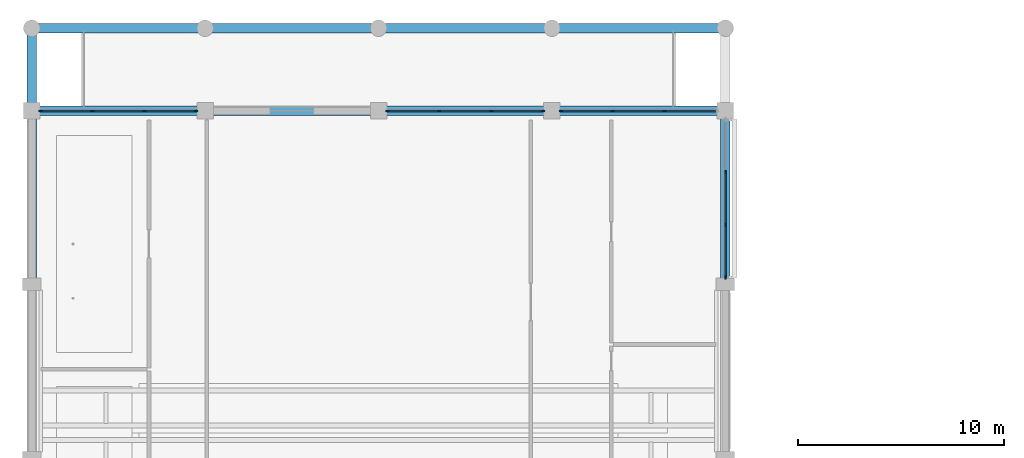
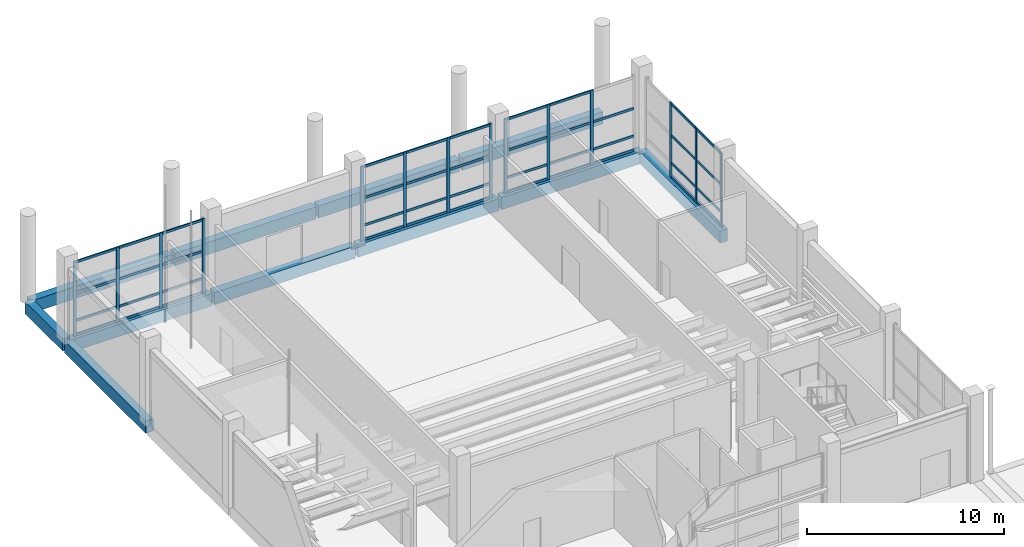
# One storey, part 39 of 140: 57 members, 11 beams, 4 elements without a shape of their own.
"""IFC4 building model written with IfcOpenShell, lengths in metres."""

from ifc_helpers import new_model, si_unit, direction, frame, origin, origin_2d, place, context, subcontext, project, spatial, rectangle, extrude, material, layer, layer_set, material_profile, profile_set, type_object, element, aggregate, save


model = new_model("IFC4")

# Units and contexts
model_context = context("Model", 3, precision=1e-05, world=origin(), true_north=direction((0.0, 1.0)))
body_context = subcontext(model_context, "Body", "Model", "MODEL_VIEW")
ifc_project = project(units=[si_unit("LENGTHUNIT", "METRE"), si_unit("AREAUNIT", "SQUARE_METRE"), si_unit("VOLUMEUNIT", "CUBIC_METRE"), si_unit("PLANEANGLEUNIT", "RADIAN"), si_unit("MASSUNIT", "GRAM", prefix="KILO")], contexts=[model_context])

# Site, building, storey
site_placement = place(None, origin())
site = spatial("IfcSite", under=ifc_project, at=site_placement, CompositionType="ELEMENT")
building_placement = place(site_placement, origin())
building = spatial("IfcBuilding", under=site, at=building_placement, Name="Telukmera Botanical Conservatory", CompositionType="ELEMENT")
storey_placement = place(building_placement, origin())
storey = spatial("IfcBuildingStorey", under=building, at=storey_placement, Name="L00", CompositionType="ELEMENT", Elevation=0.0)

# Beams
ifc_material_1 = material(Name="Concrete C40/50", Category="concrete")
ifc_material_profile_1 = material_profile(ifc_material_1, rectangle(XDim=0.449951171875, YDim=0.75, at=origin_2d()), Name="RC 450x750")
ifc_profile_set_1 = profile_set([ifc_material_profile_1], Name="Concrete C40/50")
beam_type = type_object("IfcBeamType", Name="Beam_B6", PredefinedType="BEAM", material=ifc_profile_set_1)
beam_1_placement = place(storey_placement, frame((8.47998046875, 116.800048828125, -0.375), z_axis=(1.0, 0.0, 0.0), x_axis=(0.0, 1.0, 0.0)))
element("IfcBeam", 1, at=beam_1_placement, inside=storey, type_object=beam_type, Name="Auditorium Frame Beam beam:V2:L00:gx:1168:84", PredefinedType="BEAM", context=body_context, shape_type="SweptSolid", body=[
    extrude(rectangle(XDim=0.449951171875, YDim=0.75, at=origin_2d()), origin(), (0.0, 0.0, 1.0), 8.239990234375),
])
beam_2_placement = place(storey_placement, frame((16.8798828125, 116.800048828125, -0.375), z_axis=(1.0, 0.0, 0.0), x_axis=(0.0, 1.0, 0.0)))
element("IfcBeam", 2, at=beam_2_placement, inside=storey, type_object=beam_type, Name="Auditorium Frame Beam beam:V2:L00:gx:1168:168", PredefinedType="BEAM", context=body_context, shape_type="SweptSolid", body=[
    extrude(rectangle(XDim=0.449951171875, YDim=0.75, at=origin_2d()), origin(), (0.0, 0.0, 1.0), 8.240234375),
])
for number, where, z_axis, x_axis, name in (
    (3, (25.280029296875, 116.800048828125, -0.375), (1.0, 0.0, 0.0), (0.0, 1.0, 0.0), "Auditorium Frame Beam beam:V2:L00:gx:1168:252"),
    (4, (33.679931640625, 116.800048828125, -0.375), (1.0, 0.0, 0.0), (0.0, 1.0, 0.0), "Auditorium Frame Beam beam:V2:L00:gx:1168:336"),
    (5, (8.47998046875, 120.800048828125, -0.375), (1.0, 0.0, 0.0), (0.0, 1.0, 0.0), "Auditorium Frame Beam beam:V2:L00:gx:1208:84"),
):
    element("IfcBeam", number, at=place(storey_placement, frame(where, z_axis=z_axis, x_axis=x_axis)), inside=storey, type_object=beam_type, Name=name, PredefinedType="BEAM", context=body_context, shape_type="SweptSolid", body=[
        extrude(rectangle(XDim=0.449951171875, YDim=0.75, at=origin_2d()), origin(), (0.0, 0.0, 1.0), 8.239990234375),
    ])
beam_3_placement = place(storey_placement, frame((16.8798828125, 120.800048828125, -0.375), z_axis=(1.0, 0.0, 0.0), x_axis=(0.0, 1.0, 0.0)))
element("IfcBeam", 6, at=beam_3_placement, inside=storey, type_object=beam_type, Name="Auditorium Frame Beam beam:V2:L00:gx:1208:168", PredefinedType="BEAM", context=body_context, shape_type="SweptSolid", body=[
    extrude(rectangle(XDim=0.449951171875, YDim=0.75, at=origin_2d()), origin(), (0.0, 0.0, 1.0), 8.240234375),
])
for number, where, z_axis, x_axis, name in (
    (7, (25.280029296875, 120.800048828125, -0.375), (1.0, 0.0, 0.0), (0.0, 1.0, 0.0), "Auditorium Frame Beam beam:V2:L00:gx:1208:252"),
    (8, (33.679931640625, 120.800048828125, -0.375), (1.0, 0.0, 0.0), (0.0, 1.0, 0.0), "Auditorium Frame Beam beam:V2:L00:gx:1208:336"),
    (9, (8.39990234375, 108.47998046875, -0.375), (0.0, 1.0, 0.0), (-1.0, 0.0, 0.0), "Auditorium Frame Beam beam:V2:L00:gy:84:1084"),
):
    element("IfcBeam", number, at=place(storey_placement, frame(where, z_axis=z_axis, x_axis=x_axis)), inside=storey, type_object=beam_type, Name=name, PredefinedType="BEAM", context=body_context, shape_type="SweptSolid", body=[
        extrude(rectangle(XDim=0.449951171875, YDim=0.75, at=origin_2d()), origin(), (0.0, 0.0, 1.0), 8.239990234375),
    ])
beam_4_placement = place(storey_placement, frame((8.39990234375, 116.8798828125, -0.375), z_axis=(0.0, 1.0, 0.0), x_axis=(-1.0, 0.0, 0.0)))
element("IfcBeam", 10, at=beam_4_placement, inside=storey, type_object=beam_type, Name="Auditorium Frame Beam beam:V2:L00:gy:84:1168", PredefinedType="BEAM", context=body_context, shape_type="SweptSolid", body=[
    extrude(rectangle(XDim=0.449951171875, YDim=0.75, at=origin_2d()), origin(), (0.0, 0.0, 1.0), 3.840087890625),
])
beam_5_placement = place(storey_placement, frame((42.0, 108.47998046875, -0.375), z_axis=(0.0, 1.0, 0.0), x_axis=(-1.0, 0.0, 0.0)))
element("IfcBeam", 11, at=beam_5_placement, inside=storey, type_object=beam_type, Name="Auditorium Frame Beam beam:V2:L00:gy:420:1084", PredefinedType="BEAM", context=body_context, shape_type="SweptSolid", body=[
    extrude(rectangle(XDim=0.449951171875, YDim=0.75, at=origin_2d()), origin(), (0.0, 0.0, 1.0), 8.239990234375),
])

# Curtain wall, members
ifc_material_2 = material(Name="Anodised aluminium 6063-T6", Category="aluminium")
ifc_layer = layer(ifc_material_2, 0.179931640625)
ifc_layer_set = layer_set([ifc_layer], Name="Anodised aluminium 6063-T6")
curtain_wall_type = type_object("IfcCurtainWallType", Name="Auditorium Ground Foyer Acoustic Curtain Wall", PredefinedType="USERDEFINED", material=ifc_layer_set)
curtain_wall_1_placement = place(storey_placement, origin())
curtain_wall_1 = element("IfcCurtainWall", 12, at=curtain_wall_1_placement, inside=storey, type_object=curtain_wall_type, Name="Unitised Curtain Wall CW04 V2:L00:N1", ObjectType="UNITISED CURTAIN WALL", PredefinedType="USERDEFINED")
ifc_material_profile_2 = material_profile(ifc_material_2, rectangle(XDim=0.070068359375, YDim=0.179931640625, at=origin_2d()), Name="ALU MULL 70x180")
ifc_profile_set_2 = profile_set([ifc_material_profile_2], Name="Anodised aluminium 6063-T6")
member_type_1 = type_object("IfcMemberType", Name="Curtain Wall Extruded Mullion 70x180", PredefinedType="MULLION", material=ifc_profile_set_2)
member_1_placement = place(storey_placement, frame((8.8369140625, 116.800048828125, 0.0), z_axis=(0.0, 0.0, 1.0), x_axis=(0.0, 1.0, 0.0)))
member_1 = element("IfcMember", 13, at=member_1_placement, type_object=member_type_1, Name="CW04 mullion 1", PredefinedType="MULLION", context=body_context, shape_type="SweptSolid", body=[
    extrude(rectangle(XDim=0.070068359375, YDim=0.179931640625, at=origin_2d()), origin(), (0.0, 0.0, 1.0), 4.64990234375),
])
member_2_placement = place(storey_placement, frame((11.333984375, 116.800048828125, 0.0), z_axis=(0.0, 0.0, 1.0), x_axis=(0.0, 1.0, 0.0)))
member_2 = element("IfcMember", 14, at=member_2_placement, type_object=member_type_1, Name="CW04 mullion 2", PredefinedType="MULLION", context=body_context, shape_type="SweptSolid", body=[
    extrude(rectangle(XDim=0.070068359375, YDim=0.179931640625, at=origin_2d()), origin(), (0.0, 0.0, 1.0), 4.64990234375),
])
member_3_placement = place(storey_placement, frame((13.865966796875, 116.800048828125, 0.0), z_axis=(0.0, 0.0, 1.0), x_axis=(0.0, 1.0, 0.0)))
member_3 = element("IfcMember", 15, at=member_3_placement, type_object=member_type_1, Name="CW04 mullion 3", PredefinedType="MULLION", context=body_context, shape_type="SweptSolid", body=[
    extrude(rectangle(XDim=0.070068359375, YDim=0.179931640625, at=origin_2d()), origin(), (0.0, 0.0, 1.0), 4.64990234375),
])
member_4_placement = place(storey_placement, frame((16.363037109375, 116.800048828125, 0.0), z_axis=(0.0, 0.0, 1.0), x_axis=(0.0, 1.0, 0.0)))
member_4 = element("IfcMember", 16, at=member_4_placement, type_object=member_type_1, Name="CW04 mullion 4", PredefinedType="MULLION", context=body_context, shape_type="SweptSolid", body=[
    extrude(rectangle(XDim=0.070068359375, YDim=0.179931640625, at=origin_2d()), origin(), (0.0, 0.0, 1.0), 4.64990234375),
])

curtain_wall_2_placement = place(storey_placement, origin())
curtain_wall_2 = element("IfcCurtainWall", 17, at=curtain_wall_2_placement, inside=storey, type_object=curtain_wall_type, Name="Unitised Curtain Wall CW04 V2:L00:N3", ObjectType="UNITISED CURTAIN WALL", PredefinedType="USERDEFINED")
member_5_placement = place(storey_placement, frame((25.636962890625, 116.800048828125, 0.0), z_axis=(0.0, 0.0, 1.0), x_axis=(0.0, 1.0, 0.0)))
member_5 = element("IfcMember", 18, at=member_5_placement, type_object=member_type_1, Name="CW04 mullion 1", PredefinedType="MULLION", context=body_context, shape_type="SweptSolid", body=[
    extrude(rectangle(XDim=0.070068359375, YDim=0.179931640625, at=origin_2d()), origin(), (0.0, 0.0, 1.0), 4.64990234375),
])
member_6_placement = place(storey_placement, frame((28.134033203125, 116.800048828125, 0.0), z_axis=(0.0, 0.0, 1.0), x_axis=(0.0, 1.0, 0.0)))
member_6 = element("IfcMember", 19, at=member_6_placement, type_object=member_type_1, Name="CW04 mullion 2", PredefinedType="MULLION", context=body_context, shape_type="SweptSolid", body=[
    extrude(rectangle(XDim=0.070068359375, YDim=0.179931640625, at=origin_2d()), origin(), (0.0, 0.0, 1.0), 4.64990234375),
])
member_7_placement = place(storey_placement, frame((30.666015625, 116.800048828125, 0.0), z_axis=(0.0, 0.0, 1.0), x_axis=(0.0, 1.0, 0.0)))
member_7 = element("IfcMember", 20, at=member_7_placement, type_object=member_type_1, Name="CW04 mullion 3", PredefinedType="MULLION", context=body_context, shape_type="SweptSolid", body=[
    extrude(rectangle(XDim=0.070068359375, YDim=0.179931640625, at=origin_2d()), origin(), (0.0, 0.0, 1.0), 4.64990234375),
])
member_8_placement = place(storey_placement, frame((33.1630859375, 116.800048828125, 0.0), z_axis=(0.0, 0.0, 1.0), x_axis=(0.0, 1.0, 0.0)))
member_8 = element("IfcMember", 21, at=member_8_placement, type_object=member_type_1, Name="CW04 mullion 4", PredefinedType="MULLION", context=body_context, shape_type="SweptSolid", body=[
    extrude(rectangle(XDim=0.070068359375, YDim=0.179931640625, at=origin_2d()), origin(), (0.0, 0.0, 1.0), 4.64990234375),
])

curtain_wall_3_placement = place(storey_placement, origin())
curtain_wall_3 = element("IfcCurtainWall", 22, at=curtain_wall_3_placement, inside=storey, type_object=curtain_wall_type, Name="Unitised Curtain Wall CW04 V2:L00:N4", ObjectType="UNITISED CURTAIN WALL", PredefinedType="USERDEFINED")
member_9_placement = place(storey_placement, frame((34.037109375, 116.800048828125, 0.0), z_axis=(0.0, 0.0, 1.0), x_axis=(0.0, 1.0, 0.0)))
member_9 = element("IfcMember", 23, at=member_9_placement, type_object=member_type_1, Name="CW04 mullion 1", PredefinedType="MULLION", context=body_context, shape_type="SweptSolid", body=[
    extrude(rectangle(XDim=0.070068359375, YDim=0.179931640625, at=origin_2d()), origin(), (0.0, 0.0, 1.0), 4.64990234375),
])
member_10_placement = place(storey_placement, frame((36.533935546875, 116.800048828125, 0.0), z_axis=(0.0, 0.0, 1.0), x_axis=(0.0, 1.0, 0.0)))
member_10 = element("IfcMember", 24, at=member_10_placement, type_object=member_type_1, Name="CW04 mullion 2", PredefinedType="MULLION", context=body_context, shape_type="SweptSolid", body=[
    extrude(rectangle(XDim=0.070068359375, YDim=0.179931640625, at=origin_2d()), origin(), (0.0, 0.0, 1.0), 4.64990234375),
])
member_11_placement = place(storey_placement, frame((39.06591796875, 116.800048828125, 0.0), z_axis=(0.0, 0.0, 1.0), x_axis=(0.0, 1.0, 0.0)))
member_11 = element("IfcMember", 25, at=member_11_placement, type_object=member_type_1, Name="CW04 mullion 3", PredefinedType="MULLION", context=body_context, shape_type="SweptSolid", body=[
    extrude(rectangle(XDim=0.070068359375, YDim=0.179931640625, at=origin_2d()), origin(), (0.0, 0.0, 1.0), 4.64990234375),
])

curtain_wall_4_placement = place(storey_placement, origin())
curtain_wall_4 = element("IfcCurtainWall", 26, at=curtain_wall_4_placement, inside=storey, type_object=curtain_wall_type, Name="Unitised Curtain Wall CW04 V2:L00:E4", ObjectType="UNITISED CURTAIN WALL", PredefinedType="USERDEFINED")
member_12_placement = place(storey_placement, frame((42.0, 108.737060546875, 0.0), z_axis=(0.0, 0.0, 1.0), x_axis=(-1.0, 0.0, 0.0)))
member_12 = element("IfcMember", 27, at=member_12_placement, type_object=member_type_1, Name="CW04 mullion 1", PredefinedType="MULLION", context=body_context, shape_type="SweptSolid", body=[
    extrude(rectangle(XDim=0.070068359375, YDim=0.179931640625, at=origin_2d()), origin(), (0.0, 0.0, 1.0), 4.64990234375),
])
member_13_placement = place(storey_placement, frame((42.0, 111.267333984375, 0.0), z_axis=(0.0, 0.0, 1.0), x_axis=(-1.0, 0.0, 0.0)))
member_13 = element("IfcMember", 28, at=member_13_placement, type_object=member_type_1, Name="CW04 mullion 2", PredefinedType="MULLION", context=body_context, shape_type="SweptSolid", body=[
    extrude(rectangle(XDim=0.070068359375, YDim=0.179931640625, at=origin_2d()), origin(), (0.0, 0.0, 1.0), 4.64990234375),
])
member_14_placement = place(storey_placement, frame((42.0, 113.832763671875, 0.0), z_axis=(0.0, 0.0, 1.0), x_axis=(-1.0, 0.0, 0.0)))
member_14 = element("IfcMember", 29, at=member_14_placement, type_object=member_type_1, Name="CW04 mullion 3", PredefinedType="MULLION", context=body_context, shape_type="SweptSolid", body=[
    extrude(rectangle(XDim=0.070068359375, YDim=0.179931640625, at=origin_2d()), origin(), (0.0, 0.0, 1.0), 4.64990234375),
])

# Member
ifc_material_profile_3 = material_profile(ifc_material_2, rectangle(XDim=0.070068359375, YDim=0.14990234375, at=origin_2d()), Name="ALU TRAN 70x150")
ifc_profile_set_3 = profile_set([ifc_material_profile_3], Name="Anodised aluminium 6063-T6")
member_type_2 = type_object("IfcMemberType", Name="Curtain Wall Extruded Transom 70x150", PredefinedType="USERDEFINED", material=ifc_profile_set_3)
member_15_placement = place(storey_placement, frame((8.8720703125, 116.800048828125, 0.074951171875), z_axis=(1.0, 0.0, 0.0), x_axis=(0.0, 1.0, 0.0)))
member_15 = element("IfcMember", 30, at=member_15_placement, type_object=member_type_2, Name="CW04 transom 1.1", ObjectType="TRANSOM", PredefinedType="USERDEFINED", context=body_context, shape_type="SweptSolid", body=[
    extrude(rectangle(XDim=0.070068359375, YDim=0.14990234375, at=origin_2d()), origin(), (0.0, 0.0, 1.0), 2.427001953125),
])

member_16_placement = place(storey_placement, frame((8.8720703125, 116.800048828125, 0.949951171875), z_axis=(1.0, 0.0, 0.0), x_axis=(0.0, 1.0, 0.0)))
member_16 = element("IfcMember", 31, at=member_16_placement, type_object=member_type_2, Name="CW04 transom 1.2", ObjectType="TRANSOM", PredefinedType="USERDEFINED", context=body_context, shape_type="SweptSolid", body=[
    extrude(rectangle(XDim=0.070068359375, YDim=0.14990234375, at=origin_2d()), origin(), (0.0, 0.0, 1.0), 2.427001953125),
])

member_17_placement = place(storey_placement, frame((8.8720703125, 116.800048828125, 2.64990234375), z_axis=(1.0, 0.0, 0.0), x_axis=(0.0, 1.0, 0.0)))
member_17 = element("IfcMember", 32, at=member_17_placement, type_object=member_type_2, Name="CW04 transom 1.3", ObjectType="TRANSOM", PredefinedType="USERDEFINED", context=body_context, shape_type="SweptSolid", body=[
    extrude(rectangle(XDim=0.070068359375, YDim=0.14990234375, at=origin_2d()), origin(), (0.0, 0.0, 1.0), 2.427001953125),
])

member_18_placement = place(storey_placement, frame((8.8720703125, 116.800048828125, 4.574951171875), z_axis=(1.0, 0.0, 0.0), x_axis=(0.0, 1.0, 0.0)))
member_18 = element("IfcMember", 33, at=member_18_placement, type_object=member_type_2, Name="CW04 transom 1.4", ObjectType="TRANSOM", PredefinedType="USERDEFINED", context=body_context, shape_type="SweptSolid", body=[
    extrude(rectangle(XDim=0.070068359375, YDim=0.14990234375, at=origin_2d()), origin(), (0.0, 0.0, 1.0), 2.427001953125),
])

member_19_placement = place(storey_placement, frame((11.368896484375, 116.800048828125, 0.074951171875), z_axis=(1.0, 0.0, 0.0), x_axis=(0.0, 1.0, 0.0)))
member_19 = element("IfcMember", 34, at=member_19_placement, type_object=member_type_2, Name="CW04 transom 2.1", ObjectType="TRANSOM", PredefinedType="USERDEFINED", context=body_context, shape_type="SweptSolid", body=[
    extrude(rectangle(XDim=0.070068359375, YDim=0.14990234375, at=origin_2d()), origin(), (0.0, 0.0, 1.0), 2.462158203125),
])

member_20_placement = place(storey_placement, frame((11.368896484375, 116.800048828125, 0.949951171875), z_axis=(1.0, 0.0, 0.0), x_axis=(0.0, 1.0, 0.0)))
member_20 = element("IfcMember", 35, at=member_20_placement, type_object=member_type_2, Name="CW04 transom 2.2", ObjectType="TRANSOM", PredefinedType="USERDEFINED", context=body_context, shape_type="SweptSolid", body=[
    extrude(rectangle(XDim=0.070068359375, YDim=0.14990234375, at=origin_2d()), origin(), (0.0, 0.0, 1.0), 2.462158203125),
])

member_21_placement = place(storey_placement, frame((11.368896484375, 116.800048828125, 2.64990234375), z_axis=(1.0, 0.0, 0.0), x_axis=(0.0, 1.0, 0.0)))
member_21 = element("IfcMember", 36, at=member_21_placement, type_object=member_type_2, Name="CW04 transom 2.3", ObjectType="TRANSOM", PredefinedType="USERDEFINED", context=body_context, shape_type="SweptSolid", body=[
    extrude(rectangle(XDim=0.070068359375, YDim=0.14990234375, at=origin_2d()), origin(), (0.0, 0.0, 1.0), 2.462158203125),
])

member_22_placement = place(storey_placement, frame((11.368896484375, 116.800048828125, 4.574951171875), z_axis=(1.0, 0.0, 0.0), x_axis=(0.0, 1.0, 0.0)))
member_22 = element("IfcMember", 37, at=member_22_placement, type_object=member_type_2, Name="CW04 transom 2.4", ObjectType="TRANSOM", PredefinedType="USERDEFINED", context=body_context, shape_type="SweptSolid", body=[
    extrude(rectangle(XDim=0.070068359375, YDim=0.14990234375, at=origin_2d()), origin(), (0.0, 0.0, 1.0), 2.462158203125),
])

member_23_placement = place(storey_placement, frame((13.90087890625, 116.800048828125, 0.074951171875), z_axis=(1.0, 0.0, 0.0), x_axis=(0.0, 1.0, 0.0)))
member_23 = element("IfcMember", 38, at=member_23_placement, type_object=member_type_2, Name="CW04 transom 3.1", ObjectType="TRANSOM", PredefinedType="USERDEFINED", context=body_context, shape_type="SweptSolid", body=[
    extrude(rectangle(XDim=0.070068359375, YDim=0.14990234375, at=origin_2d()), origin(), (0.0, 0.0, 1.0), 2.427001953125),
])

member_24_placement = place(storey_placement, frame((13.90087890625, 116.800048828125, 0.949951171875), z_axis=(1.0, 0.0, 0.0), x_axis=(0.0, 1.0, 0.0)))
member_24 = element("IfcMember", 39, at=member_24_placement, type_object=member_type_2, Name="CW04 transom 3.2", ObjectType="TRANSOM", PredefinedType="USERDEFINED", context=body_context, shape_type="SweptSolid", body=[
    extrude(rectangle(XDim=0.070068359375, YDim=0.14990234375, at=origin_2d()), origin(), (0.0, 0.0, 1.0), 2.427001953125),
])

member_25_placement = place(storey_placement, frame((13.90087890625, 116.800048828125, 2.64990234375), z_axis=(1.0, 0.0, 0.0), x_axis=(0.0, 1.0, 0.0)))
member_25 = element("IfcMember", 40, at=member_25_placement, type_object=member_type_2, Name="CW04 transom 3.3", ObjectType="TRANSOM", PredefinedType="USERDEFINED", context=body_context, shape_type="SweptSolid", body=[
    extrude(rectangle(XDim=0.070068359375, YDim=0.14990234375, at=origin_2d()), origin(), (0.0, 0.0, 1.0), 2.427001953125),
])

member_26_placement = place(storey_placement, frame((13.90087890625, 116.800048828125, 4.574951171875), z_axis=(1.0, 0.0, 0.0), x_axis=(0.0, 1.0, 0.0)))
member_26 = element("IfcMember", 41, at=member_26_placement, type_object=member_type_2, Name="CW04 transom 3.4", ObjectType="TRANSOM", PredefinedType="USERDEFINED", context=body_context, shape_type="SweptSolid", body=[
    extrude(rectangle(XDim=0.070068359375, YDim=0.14990234375, at=origin_2d()), origin(), (0.0, 0.0, 1.0), 2.427001953125),
])

aggregate(curtain_wall_1, [member_1, member_2, member_3, member_4, member_15, member_16, member_17, member_18, member_19, member_20, member_21, member_22, member_23, member_24, member_25, member_26])

member_27_placement = place(storey_placement, frame((25.672119140625, 116.800048828125, 0.074951171875), z_axis=(1.0, 0.0, 0.0), x_axis=(0.0, 1.0, 0.0)))
member_27 = element("IfcMember", 42, at=member_27_placement, type_object=member_type_2, Name="CW04 transom 1.1", ObjectType="TRANSOM", PredefinedType="USERDEFINED", context=body_context, shape_type="SweptSolid", body=[
    extrude(rectangle(XDim=0.070068359375, YDim=0.14990234375, at=origin_2d()), origin(), (0.0, 0.0, 1.0), 2.427001953125),
])

member_28_placement = place(storey_placement, frame((25.672119140625, 116.800048828125, 0.949951171875), z_axis=(1.0, 0.0, 0.0), x_axis=(0.0, 1.0, 0.0)))
member_28 = element("IfcMember", 43, at=member_28_placement, type_object=member_type_2, Name="CW04 transom 1.2", ObjectType="TRANSOM", PredefinedType="USERDEFINED", context=body_context, shape_type="SweptSolid", body=[
    extrude(rectangle(XDim=0.070068359375, YDim=0.14990234375, at=origin_2d()), origin(), (0.0, 0.0, 1.0), 2.427001953125),
])

member_29_placement = place(storey_placement, frame((25.672119140625, 116.800048828125, 2.64990234375), z_axis=(1.0, 0.0, 0.0), x_axis=(0.0, 1.0, 0.0)))
member_29 = element("IfcMember", 44, at=member_29_placement, type_object=member_type_2, Name="CW04 transom 1.3", ObjectType="TRANSOM", PredefinedType="USERDEFINED", context=body_context, shape_type="SweptSolid", body=[
    extrude(rectangle(XDim=0.070068359375, YDim=0.14990234375, at=origin_2d()), origin(), (0.0, 0.0, 1.0), 2.427001953125),
])

member_30_placement = place(storey_placement, frame((25.672119140625, 116.800048828125, 4.574951171875), z_axis=(1.0, 0.0, 0.0), x_axis=(0.0, 1.0, 0.0)))
member_30 = element("IfcMember", 45, at=member_30_placement, type_object=member_type_2, Name="CW04 transom 1.4", ObjectType="TRANSOM", PredefinedType="USERDEFINED", context=body_context, shape_type="SweptSolid", body=[
    extrude(rectangle(XDim=0.070068359375, YDim=0.14990234375, at=origin_2d()), origin(), (0.0, 0.0, 1.0), 2.427001953125),
])

member_31_placement = place(storey_placement, frame((28.1689453125, 116.800048828125, 0.074951171875), z_axis=(1.0, 0.0, 0.0), x_axis=(0.0, 1.0, 0.0)))
member_31 = element("IfcMember", 46, at=member_31_placement, type_object=member_type_2, Name="CW04 transom 2.1", ObjectType="TRANSOM", PredefinedType="USERDEFINED", context=body_context, shape_type="SweptSolid", body=[
    extrude(rectangle(XDim=0.070068359375, YDim=0.14990234375, at=origin_2d()), origin(), (0.0, 0.0, 1.0), 2.462158203125),
])

member_32_placement = place(storey_placement, frame((28.1689453125, 116.800048828125, 0.949951171875), z_axis=(1.0, 0.0, 0.0), x_axis=(0.0, 1.0, 0.0)))
member_32 = element("IfcMember", 47, at=member_32_placement, type_object=member_type_2, Name="CW04 transom 2.2", ObjectType="TRANSOM", PredefinedType="USERDEFINED", context=body_context, shape_type="SweptSolid", body=[
    extrude(rectangle(XDim=0.070068359375, YDim=0.14990234375, at=origin_2d()), origin(), (0.0, 0.0, 1.0), 2.462158203125),
])

member_33_placement = place(storey_placement, frame((28.1689453125, 116.800048828125, 2.64990234375), z_axis=(1.0, 0.0, 0.0), x_axis=(0.0, 1.0, 0.0)))
member_33 = element("IfcMember", 48, at=member_33_placement, type_object=member_type_2, Name="CW04 transom 2.3", ObjectType="TRANSOM", PredefinedType="USERDEFINED", context=body_context, shape_type="SweptSolid", body=[
    extrude(rectangle(XDim=0.070068359375, YDim=0.14990234375, at=origin_2d()), origin(), (0.0, 0.0, 1.0), 2.462158203125),
])

member_34_placement = place(storey_placement, frame((28.1689453125, 116.800048828125, 4.574951171875), z_axis=(1.0, 0.0, 0.0), x_axis=(0.0, 1.0, 0.0)))
member_34 = element("IfcMember", 49, at=member_34_placement, type_object=member_type_2, Name="CW04 transom 2.4", ObjectType="TRANSOM", PredefinedType="USERDEFINED", context=body_context, shape_type="SweptSolid", body=[
    extrude(rectangle(XDim=0.070068359375, YDim=0.14990234375, at=origin_2d()), origin(), (0.0, 0.0, 1.0), 2.462158203125),
])

member_35_placement = place(storey_placement, frame((30.700927734375, 116.800048828125, 0.074951171875), z_axis=(1.0, 0.0, 0.0), x_axis=(0.0, 1.0, 0.0)))
member_35 = element("IfcMember", 50, at=member_35_placement, type_object=member_type_2, Name="CW04 transom 3.1", ObjectType="TRANSOM", PredefinedType="USERDEFINED", context=body_context, shape_type="SweptSolid", body=[
    extrude(rectangle(XDim=0.070068359375, YDim=0.14990234375, at=origin_2d()), origin(), (0.0, 0.0, 1.0), 2.427001953125),
])

member_36_placement = place(storey_placement, frame((30.700927734375, 116.800048828125, 0.949951171875), z_axis=(1.0, 0.0, 0.0), x_axis=(0.0, 1.0, 0.0)))
member_36 = element("IfcMember", 51, at=member_36_placement, type_object=member_type_2, Name="CW04 transom 3.2", ObjectType="TRANSOM", PredefinedType="USERDEFINED", context=body_context, shape_type="SweptSolid", body=[
    extrude(rectangle(XDim=0.070068359375, YDim=0.14990234375, at=origin_2d()), origin(), (0.0, 0.0, 1.0), 2.427001953125),
])

member_37_placement = place(storey_placement, frame((30.700927734375, 116.800048828125, 2.64990234375), z_axis=(1.0, 0.0, 0.0), x_axis=(0.0, 1.0, 0.0)))
member_37 = element("IfcMember", 52, at=member_37_placement, type_object=member_type_2, Name="CW04 transom 3.3", ObjectType="TRANSOM", PredefinedType="USERDEFINED", context=body_context, shape_type="SweptSolid", body=[
    extrude(rectangle(XDim=0.070068359375, YDim=0.14990234375, at=origin_2d()), origin(), (0.0, 0.0, 1.0), 2.427001953125),
])

member_38_placement = place(storey_placement, frame((30.700927734375, 116.800048828125, 4.574951171875), z_axis=(1.0, 0.0, 0.0), x_axis=(0.0, 1.0, 0.0)))
member_38 = element("IfcMember", 53, at=member_38_placement, type_object=member_type_2, Name="CW04 transom 3.4", ObjectType="TRANSOM", PredefinedType="USERDEFINED", context=body_context, shape_type="SweptSolid", body=[
    extrude(rectangle(XDim=0.070068359375, YDim=0.14990234375, at=origin_2d()), origin(), (0.0, 0.0, 1.0), 2.427001953125),
])

aggregate(curtain_wall_2, [member_5, member_6, member_7, member_8, member_27, member_28, member_29, member_30, member_31, member_32, member_33, member_34, member_35, member_36, member_37, member_38])

member_39_placement = place(storey_placement, frame((34.072021484375, 116.800048828125, 0.074951171875), z_axis=(1.0, 0.0, 0.0), x_axis=(0.0, 1.0, 0.0)))
member_39 = element("IfcMember", 54, at=member_39_placement, type_object=member_type_2, Name="CW04 transom 1.1", ObjectType="TRANSOM", PredefinedType="USERDEFINED", context=body_context, shape_type="SweptSolid", body=[
    extrude(rectangle(XDim=0.070068359375, YDim=0.14990234375, at=origin_2d()), origin(), (0.0, 0.0, 1.0), 2.427001953125),
])

member_40_placement = place(storey_placement, frame((34.072021484375, 116.800048828125, 0.949951171875), z_axis=(1.0, 0.0, 0.0), x_axis=(0.0, 1.0, 0.0)))
member_40 = element("IfcMember", 55, at=member_40_placement, type_object=member_type_2, Name="CW04 transom 1.2", ObjectType="TRANSOM", PredefinedType="USERDEFINED", context=body_context, shape_type="SweptSolid", body=[
    extrude(rectangle(XDim=0.070068359375, YDim=0.14990234375, at=origin_2d()), origin(), (0.0, 0.0, 1.0), 2.427001953125),
])

member_41_placement = place(storey_placement, frame((34.072021484375, 116.800048828125, 2.64990234375), z_axis=(1.0, 0.0, 0.0), x_axis=(0.0, 1.0, 0.0)))
member_41 = element("IfcMember", 56, at=member_41_placement, type_object=member_type_2, Name="CW04 transom 1.3", ObjectType="TRANSOM", PredefinedType="USERDEFINED", context=body_context, shape_type="SweptSolid", body=[
    extrude(rectangle(XDim=0.070068359375, YDim=0.14990234375, at=origin_2d()), origin(), (0.0, 0.0, 1.0), 2.427001953125),
])

member_42_placement = place(storey_placement, frame((34.072021484375, 116.800048828125, 4.574951171875), z_axis=(1.0, 0.0, 0.0), x_axis=(0.0, 1.0, 0.0)))
member_42 = element("IfcMember", 57, at=member_42_placement, type_object=member_type_2, Name="CW04 transom 1.4", ObjectType="TRANSOM", PredefinedType="USERDEFINED", context=body_context, shape_type="SweptSolid", body=[
    extrude(rectangle(XDim=0.070068359375, YDim=0.14990234375, at=origin_2d()), origin(), (0.0, 0.0, 1.0), 2.427001953125),
])

member_43_placement = place(storey_placement, frame((36.569091796875, 116.800048828125, 0.074951171875), z_axis=(1.0, 0.0, 0.0), x_axis=(0.0, 1.0, 0.0)))
member_43 = element("IfcMember", 58, at=member_43_placement, type_object=member_type_2, Name="CW04 transom 2.1", ObjectType="TRANSOM", PredefinedType="USERDEFINED", context=body_context, shape_type="SweptSolid", body=[
    extrude(rectangle(XDim=0.070068359375, YDim=0.14990234375, at=origin_2d()), origin(), (0.0, 0.0, 1.0), 2.4619140625),
])

member_44_placement = place(storey_placement, frame((36.569091796875, 116.800048828125, 0.949951171875), z_axis=(1.0, 0.0, 0.0), x_axis=(0.0, 1.0, 0.0)))
member_44 = element("IfcMember", 59, at=member_44_placement, type_object=member_type_2, Name="CW04 transom 2.2", ObjectType="TRANSOM", PredefinedType="USERDEFINED", context=body_context, shape_type="SweptSolid", body=[
    extrude(rectangle(XDim=0.070068359375, YDim=0.14990234375, at=origin_2d()), origin(), (0.0, 0.0, 1.0), 2.4619140625),
])

member_45_placement = place(storey_placement, frame((36.569091796875, 116.800048828125, 2.64990234375), z_axis=(1.0, 0.0, 0.0), x_axis=(0.0, 1.0, 0.0)))
member_45 = element("IfcMember", 60, at=member_45_placement, type_object=member_type_2, Name="CW04 transom 2.3", ObjectType="TRANSOM", PredefinedType="USERDEFINED", context=body_context, shape_type="SweptSolid", body=[
    extrude(rectangle(XDim=0.070068359375, YDim=0.14990234375, at=origin_2d()), origin(), (0.0, 0.0, 1.0), 2.4619140625),
])

member_46_placement = place(storey_placement, frame((36.569091796875, 116.800048828125, 4.574951171875), z_axis=(1.0, 0.0, 0.0), x_axis=(0.0, 1.0, 0.0)))
member_46 = element("IfcMember", 61, at=member_46_placement, type_object=member_type_2, Name="CW04 transom 2.4", ObjectType="TRANSOM", PredefinedType="USERDEFINED", context=body_context, shape_type="SweptSolid", body=[
    extrude(rectangle(XDim=0.070068359375, YDim=0.14990234375, at=origin_2d()), origin(), (0.0, 0.0, 1.0), 2.4619140625),
])

member_47_placement = place(storey_placement, frame((39.10107421875, 116.800048828125, 0.074951171875), z_axis=(1.0, 0.0, 0.0), x_axis=(0.0, 1.0, 0.0)))
member_47 = element("IfcMember", 62, at=member_47_placement, type_object=member_type_2, Name="CW04 transom 3.1", ObjectType="TRANSOM", PredefinedType="USERDEFINED", context=body_context, shape_type="SweptSolid", body=[
    extrude(rectangle(XDim=0.070068359375, YDim=0.14990234375, at=origin_2d()), origin(), (0.0, 0.0, 1.0), 2.427001953125),
])

member_48_placement = place(storey_placement, frame((39.10107421875, 116.800048828125, 0.949951171875), z_axis=(1.0, 0.0, 0.0), x_axis=(0.0, 1.0, 0.0)))
member_48 = element("IfcMember", 63, at=member_48_placement, type_object=member_type_2, Name="CW04 transom 3.2", ObjectType="TRANSOM", PredefinedType="USERDEFINED", context=body_context, shape_type="SweptSolid", body=[
    extrude(rectangle(XDim=0.070068359375, YDim=0.14990234375, at=origin_2d()), origin(), (0.0, 0.0, 1.0), 2.427001953125),
])

member_49_placement = place(storey_placement, frame((39.10107421875, 116.800048828125, 2.64990234375), z_axis=(1.0, 0.0, 0.0), x_axis=(0.0, 1.0, 0.0)))
member_49 = element("IfcMember", 64, at=member_49_placement, type_object=member_type_2, Name="CW04 transom 3.3", ObjectType="TRANSOM", PredefinedType="USERDEFINED", context=body_context, shape_type="SweptSolid", body=[
    extrude(rectangle(XDim=0.070068359375, YDim=0.14990234375, at=origin_2d()), origin(), (0.0, 0.0, 1.0), 2.427001953125),
])

aggregate(curtain_wall_3, [member_9, member_10, member_11, member_39, member_40, member_41, member_42, member_43, member_44, member_45, member_46, member_47, member_48, member_49])

member_50_placement = place(storey_placement, frame((42.0, 108.77197265625, 0.074951171875), z_axis=(0.0, 1.0, 0.0), x_axis=(-1.0, 0.0, 0.0)))
member_50 = element("IfcMember", 65, at=member_50_placement, type_object=member_type_2, Name="CW04 transom 1.1", ObjectType="TRANSOM", PredefinedType="USERDEFINED", context=body_context, shape_type="SweptSolid", body=[
    extrude(rectangle(XDim=0.070068359375, YDim=0.14990234375, at=origin_2d()), origin(), (0.0, 0.0, 1.0), 2.46044921875),
])

member_51_placement = place(storey_placement, frame((42.0, 108.77197265625, 0.949951171875), z_axis=(0.0, 1.0, 0.0), x_axis=(-1.0, 0.0, 0.0)))
member_51 = element("IfcMember", 66, at=member_51_placement, type_object=member_type_2, Name="CW04 transom 1.2", ObjectType="TRANSOM", PredefinedType="USERDEFINED", context=body_context, shape_type="SweptSolid", body=[
    extrude(rectangle(XDim=0.070068359375, YDim=0.14990234375, at=origin_2d()), origin(), (0.0, 0.0, 1.0), 2.46044921875),
])

member_52_placement = place(storey_placement, frame((42.0, 108.77197265625, 2.64990234375), z_axis=(0.0, 1.0, 0.0), x_axis=(-1.0, 0.0, 0.0)))
member_52 = element("IfcMember", 67, at=member_52_placement, type_object=member_type_2, Name="CW04 transom 1.3", ObjectType="TRANSOM", PredefinedType="USERDEFINED", context=body_context, shape_type="SweptSolid", body=[
    extrude(rectangle(XDim=0.070068359375, YDim=0.14990234375, at=origin_2d()), origin(), (0.0, 0.0, 1.0), 2.46044921875),
])

member_53_placement = place(storey_placement, frame((42.0, 108.77197265625, 4.574951171875), z_axis=(0.0, 1.0, 0.0), x_axis=(-1.0, 0.0, 0.0)))
member_53 = element("IfcMember", 68, at=member_53_placement, type_object=member_type_2, Name="CW04 transom 1.4", ObjectType="TRANSOM", PredefinedType="USERDEFINED", context=body_context, shape_type="SweptSolid", body=[
    extrude(rectangle(XDim=0.070068359375, YDim=0.14990234375, at=origin_2d()), origin(), (0.0, 0.0, 1.0), 2.46044921875),
])

member_54_placement = place(storey_placement, frame((42.0, 111.30224609375, 0.074951171875), z_axis=(0.0, 1.0, 0.0), x_axis=(-1.0, 0.0, 0.0)))
member_54 = element("IfcMember", 69, at=member_54_placement, type_object=member_type_2, Name="CW04 transom 2.1", ObjectType="TRANSOM", PredefinedType="USERDEFINED", context=body_context, shape_type="SweptSolid", body=[
    extrude(rectangle(XDim=0.070068359375, YDim=0.14990234375, at=origin_2d()), origin(), (0.0, 0.0, 1.0), 2.495361328125),
])

member_55_placement = place(storey_placement, frame((42.0, 111.30224609375, 0.949951171875), z_axis=(0.0, 1.0, 0.0), x_axis=(-1.0, 0.0, 0.0)))
member_55 = element("IfcMember", 70, at=member_55_placement, type_object=member_type_2, Name="CW04 transom 2.2", ObjectType="TRANSOM", PredefinedType="USERDEFINED", context=body_context, shape_type="SweptSolid", body=[
    extrude(rectangle(XDim=0.070068359375, YDim=0.14990234375, at=origin_2d()), origin(), (0.0, 0.0, 1.0), 2.495361328125),
])

member_56_placement = place(storey_placement, frame((42.0, 111.30224609375, 2.64990234375), z_axis=(0.0, 1.0, 0.0), x_axis=(-1.0, 0.0, 0.0)))
member_56 = element("IfcMember", 71, at=member_56_placement, type_object=member_type_2, Name="CW04 transom 2.3", ObjectType="TRANSOM", PredefinedType="USERDEFINED", context=body_context, shape_type="SweptSolid", body=[
    extrude(rectangle(XDim=0.070068359375, YDim=0.14990234375, at=origin_2d()), origin(), (0.0, 0.0, 1.0), 2.495361328125),
])

member_57_placement = place(storey_placement, frame((42.0, 111.30224609375, 4.574951171875), z_axis=(0.0, 1.0, 0.0), x_axis=(-1.0, 0.0, 0.0)))
member_57 = element("IfcMember", 72, at=member_57_placement, type_object=member_type_2, Name="CW04 transom 2.4", ObjectType="TRANSOM", PredefinedType="USERDEFINED", context=body_context, shape_type="SweptSolid", body=[
    extrude(rectangle(XDim=0.070068359375, YDim=0.14990234375, at=origin_2d()), origin(), (0.0, 0.0, 1.0), 2.495361328125),
])

aggregate(curtain_wall_4, [member_12, member_13, member_14, member_50, member_51, member_52, member_53, member_54, member_55, member_56, member_57])

save(model, "model.ifc")
